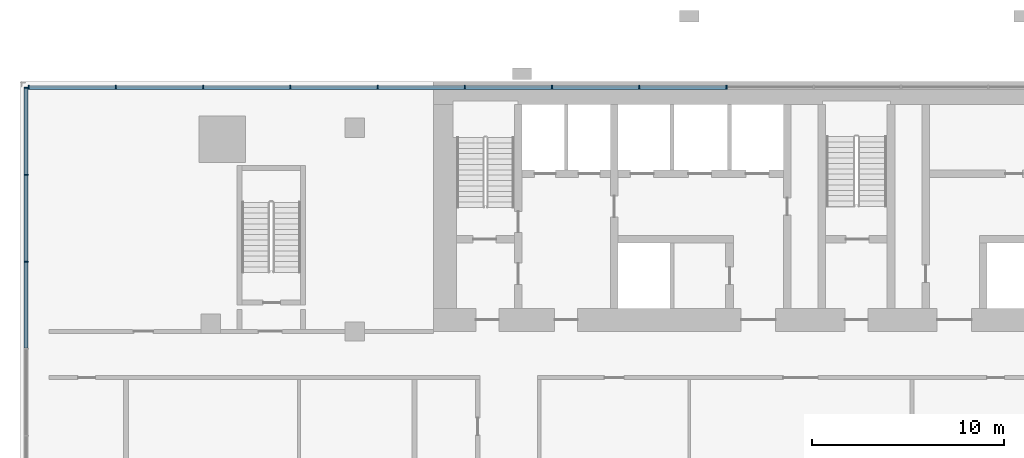
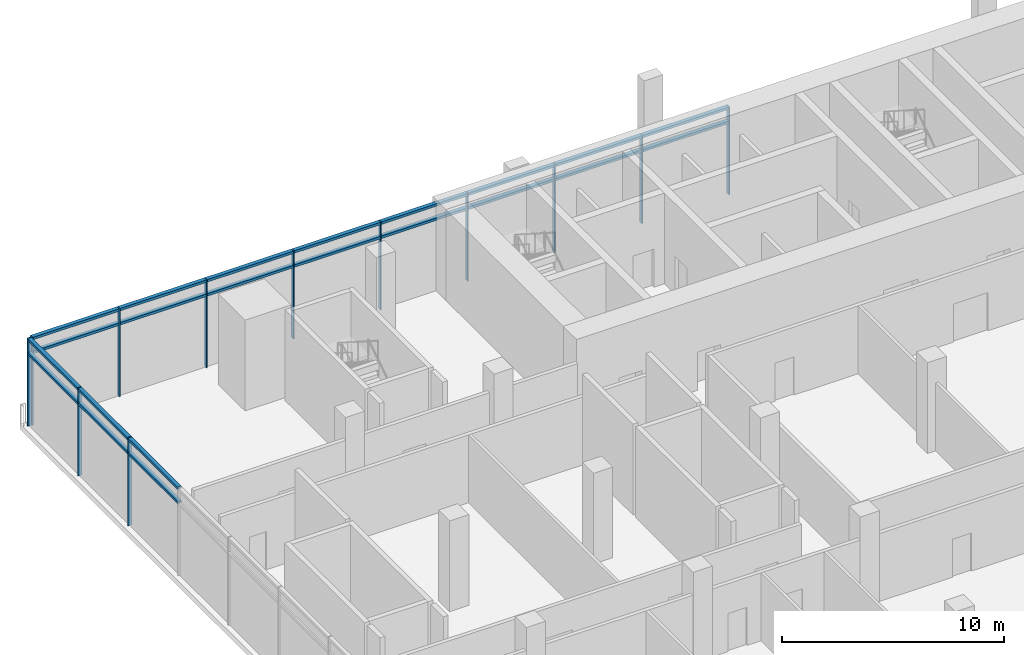
# One storey, part 5 of 17: 34 members, 2 elements without a shape of their own.
"""IFC4 building model written with IfcOpenShell, lengths in metres."""

from ifc_helpers import new_model, si_unit, direction, frame, origin, origin_2d, place, context, subcontext, project, spatial, rectangle, extrude, material, material_profile, profile_set, type_object, element, aggregate, save


model = new_model("IFC4")

# Units and contexts
model_context = context("Model", 3, precision=1e-05, world=origin(), true_north=direction((0.0, 1.0)))
body_context = subcontext(model_context, "Body", "Model", "MODEL_VIEW")
ifc_project = project(units=[si_unit("LENGTHUNIT", "METRE"), si_unit("AREAUNIT", "SQUARE_METRE"), si_unit("VOLUMEUNIT", "CUBIC_METRE"), si_unit("PLANEANGLEUNIT", "RADIAN"), si_unit("MASSUNIT", "GRAM", prefix="KILO")], contexts=[model_context])

# Site, building, storey
site_placement = place(None, origin())
site = spatial("IfcSite", under=ifc_project, at=site_placement, CompositionType="ELEMENT")
building_placement = place(site_placement, origin())
building = spatial("IfcBuilding", under=site, at=building_placement, Name="Bicima Exchange Tower", CompositionType="ELEMENT")
storey_placement = place(building_placement, frame((0.0, 0.0, 30.0)))
storey = spatial("IfcBuildingStorey", under=building, at=storey_placement, Name="L05", CompositionType="ELEMENT", Elevation=30.0)

# Curtain wall, members
ifc_material = material(Name="Anodised bronze aluminium", Category="aluminium")
curtain_wall_type = type_object("IfcCurtainWallType", Name="Lobby glazing", PredefinedType="NOTDEFINED", material=ifc_material)
curtain_wall_1_placement = place(storey_placement, origin())
curtain_wall_1 = element("IfcCurtainWall", 1, at=curtain_wall_1_placement, inside=storey, type_object=curtain_wall_type, Name="Podium glazing L05 north 1", PredefinedType="NOTDEFINED")
ifc_material_profile_1 = material_profile(ifc_material, rectangle(XDim=0.199951171875, YDim=0.06005859375, at=origin_2d()))
ifc_profile_set_1 = profile_set([ifc_material_profile_1], Name="Anodised bronze aluminium")
member_type_1 = type_object("IfcMemberType", Name="Lobby glazing mullion 60 x 200", PredefinedType="MULLION", material=ifc_profile_set_1)
member_1_placement = place(storey_placement, frame((-6.75830078125, -0.300048828125, 0.0), z_axis=(0.0, 0.0, 1.0), x_axis=(0.0, -1.0, 0.0)))
member_1 = element("IfcMember", 2, at=member_1_placement, type_object=member_type_1, Name="Lobby glazing mullion 12", PredefinedType="MULLION", context=body_context, shape_type="SweptSolid", body=[
    extrude(rectangle(XDim=0.199951171875, YDim=0.06005859375, at=origin_2d()), origin(), (0.0, 0.0, 1.0), 4.85009765625),
])
member_2_placement = place(storey_placement, frame((-11.29736328125, -0.300048828125, 0.0), z_axis=(0.0, 0.0, 1.0), x_axis=(0.0, -1.0, 0.0)))
member_2 = element("IfcMember", 3, at=member_2_placement, type_object=member_type_1, Name="Lobby glazing mullion 13", PredefinedType="MULLION", context=body_context, shape_type="SweptSolid", body=[
    extrude(rectangle(XDim=0.199951171875, YDim=0.06005859375, at=origin_2d()), origin(), (0.0, 0.0, 1.0), 4.85009765625),
])
member_3_placement = place(storey_placement, frame((-15.836181640625, -0.300048828125, 0.0), z_axis=(0.0, 0.0, 1.0), x_axis=(0.0, -1.0, 0.0)))
member_3 = element("IfcMember", 4, at=member_3_placement, type_object=member_type_1, Name="Lobby glazing mullion 14", PredefinedType="MULLION", context=body_context, shape_type="SweptSolid", body=[
    extrude(rectangle(XDim=0.199951171875, YDim=0.06005859375, at=origin_2d()), origin(), (0.0, 0.0, 1.0), 4.85009765625),
])
member_4_placement = place(storey_placement, frame((-20.375244140625, -0.300048828125, 0.0), z_axis=(0.0, 0.0, 1.0), x_axis=(0.0, -1.0, 0.0)))
member_4 = element("IfcMember", 5, at=member_4_placement, type_object=member_type_1, Name="Lobby glazing mullion 15", PredefinedType="MULLION", context=body_context, shape_type="SweptSolid", body=[
    extrude(rectangle(XDim=0.199951171875, YDim=0.06005859375, at=origin_2d()), origin(), (0.0, 0.0, 1.0), 4.85009765625),
])
member_5_placement = place(storey_placement, frame((-24.914306640625, -0.300048828125, 0.0), z_axis=(0.0, 0.0, 1.0), x_axis=(0.0, -1.0, 0.0)))
member_5 = element("IfcMember", 6, at=member_5_placement, type_object=member_type_1, Name="Lobby glazing mullion 16", PredefinedType="MULLION", context=body_context, shape_type="SweptSolid", body=[
    extrude(rectangle(XDim=0.199951171875, YDim=0.06005859375, at=origin_2d()), origin(), (0.0, 0.0, 1.0), 4.85009765625),
])
member_6_placement = place(storey_placement, frame((-29.453125, -0.300048828125, 0.0), z_axis=(0.0, 0.0, 1.0), x_axis=(0.0, -1.0, 0.0)))
member_6 = element("IfcMember", 7, at=member_6_placement, type_object=member_type_1, Name="Lobby glazing mullion 17", PredefinedType="MULLION", context=body_context, shape_type="SweptSolid", body=[
    extrude(rectangle(XDim=0.199951171875, YDim=0.06005859375, at=origin_2d()), origin(), (0.0, 0.0, 1.0), 4.85009765625),
])
member_7_placement = place(storey_placement, frame((-33.9921875, -0.300048828125, 0.0), z_axis=(0.0, 0.0, 1.0), x_axis=(0.0, -1.0, 0.0)))
member_7 = element("IfcMember", 8, at=member_7_placement, type_object=member_type_1, Name="Lobby glazing mullion 18", PredefinedType="MULLION", context=body_context, shape_type="SweptSolid", body=[
    extrude(rectangle(XDim=0.199951171875, YDim=0.06005859375, at=origin_2d()), origin(), (0.0, 0.0, 1.0), 4.85009765625),
])
member_8_placement = place(storey_placement, frame((-38.531005859375, -0.300048828125, 0.0), z_axis=(0.0, 0.0, 1.0), x_axis=(0.0, -1.0, 0.0)))
member_8 = element("IfcMember", 9, at=member_8_placement, type_object=member_type_1, Name="Lobby glazing mullion 19", PredefinedType="MULLION", context=body_context, shape_type="SweptSolid", body=[
    extrude(rectangle(XDim=0.199951171875, YDim=0.06005859375, at=origin_2d()), origin(), (0.0, 0.0, 1.0), 4.85009765625),
])
member_9_placement = place(storey_placement, frame((-43.070068359375, -0.300048828125, 0.0), z_axis=(0.0, 0.0, 1.0), x_axis=(0.0, -1.0, 0.0)))
member_9 = element("IfcMember", 10, at=member_9_placement, type_object=member_type_1, Name="Lobby glazing mullion 20", PredefinedType="MULLION", context=body_context, shape_type="SweptSolid", body=[
    extrude(rectangle(XDim=0.199951171875, YDim=0.06005859375, at=origin_2d()), origin(), (0.0, 0.0, 1.0), 4.85009765625),
])

curtain_wall_2_placement = place(storey_placement, origin())
curtain_wall_2 = element("IfcCurtainWall", 11, at=curtain_wall_2_placement, inside=storey, type_object=curtain_wall_type, Name="Podium glazing L05 west 1", PredefinedType="NOTDEFINED")
member_10_placement = place(storey_placement, frame((-43.199951171875, -0.330078125, 0.0), z_axis=(0.0, 0.0, 1.0), x_axis=(1.0, 0.0, 0.0)))
member_10 = element("IfcMember", 12, at=member_10_placement, type_object=member_type_1, Name="Lobby glazing mullion 1", PredefinedType="MULLION", context=body_context, shape_type="SweptSolid", body=[
    extrude(rectangle(XDim=0.199951171875, YDim=0.06005859375, at=origin_2d()), origin(), (0.0, 0.0, 1.0), 4.85009765625),
])
member_11_placement = place(storey_placement, frame((-43.199951171875, -4.85400390625, 0.0), z_axis=(0.0, 0.0, 1.0), x_axis=(1.0, 0.0, 0.0)))
member_11 = element("IfcMember", 13, at=member_11_placement, type_object=member_type_1, Name="Lobby glazing mullion 2", PredefinedType="MULLION", context=body_context, shape_type="SweptSolid", body=[
    extrude(rectangle(XDim=0.199951171875, YDim=0.06005859375, at=origin_2d()), origin(), (0.0, 0.0, 1.0), 4.85009765625),
])
member_12_placement = place(storey_placement, frame((-43.199951171875, -9.3779296875, 0.0), z_axis=(0.0, 0.0, 1.0), x_axis=(1.0, 0.0, 0.0)))
member_12 = element("IfcMember", 14, at=member_12_placement, type_object=member_type_1, Name="Lobby glazing mullion 3", PredefinedType="MULLION", context=body_context, shape_type="SweptSolid", body=[
    extrude(rectangle(XDim=0.199951171875, YDim=0.06005859375, at=origin_2d()), origin(), (0.0, 0.0, 1.0), 4.85009765625),
])

# Member
ifc_material_profile_2 = material_profile(ifc_material, rectangle(XDim=0.199951171875, YDim=0.139892578125, at=origin_2d()))
ifc_profile_set_2 = profile_set([ifc_material_profile_2], Name="Anodised bronze aluminium")
member_type_2 = type_object("IfcMemberType", Name="Lobby glazing transom 140 x 200", PredefinedType="USERDEFINED", material=ifc_profile_set_2)
member_13_placement = place(storey_placement, frame((-6.788330078125, -0.300048828125, 4.0), z_axis=(-1.0, 0.0, 0.0), x_axis=(0.0, -1.0, 0.0)))
member_13 = element("IfcMember", 15, at=member_13_placement, type_object=member_type_2, Name="Lobby glazing transom 12.1", ObjectType="TRANSOM", PredefinedType="USERDEFINED", context=body_context, shape_type="SweptSolid", body=[
    extrude(rectangle(XDim=0.199951171875, YDim=0.139892578125, at=origin_2d()), origin(), (0.0, 0.0, 1.0), 4.47900390625),
])

member_14_placement = place(storey_placement, frame((-6.788330078125, -0.300048828125, 4.780029296875), z_axis=(-1.0, 0.0, 0.0), x_axis=(0.0, -1.0, 0.0)))
member_14 = element("IfcMember", 16, at=member_14_placement, type_object=member_type_2, Name="Lobby glazing transom 12.2", ObjectType="TRANSOM", PredefinedType="USERDEFINED", context=body_context, shape_type="SweptSolid", body=[
    extrude(rectangle(XDim=0.199951171875, YDim=0.139892578125, at=origin_2d()), origin(), (0.0, 0.0, 1.0), 4.47900390625),
])

member_15_placement = place(storey_placement, frame((-11.327392578125, -0.300048828125, 4.0), z_axis=(-1.0, 0.0, 0.0), x_axis=(0.0, -1.0, 0.0)))
member_15 = element("IfcMember", 17, at=member_15_placement, type_object=member_type_2, Name="Lobby glazing transom 13.1", ObjectType="TRANSOM", PredefinedType="USERDEFINED", context=body_context, shape_type="SweptSolid", body=[
    extrude(rectangle(XDim=0.199951171875, YDim=0.139892578125, at=origin_2d()), origin(), (0.0, 0.0, 1.0), 4.47900390625),
])

member_16_placement = place(storey_placement, frame((-11.327392578125, -0.300048828125, 4.780029296875), z_axis=(-1.0, 0.0, 0.0), x_axis=(0.0, -1.0, 0.0)))
member_16 = element("IfcMember", 18, at=member_16_placement, type_object=member_type_2, Name="Lobby glazing transom 13.2", ObjectType="TRANSOM", PredefinedType="USERDEFINED", context=body_context, shape_type="SweptSolid", body=[
    extrude(rectangle(XDim=0.199951171875, YDim=0.139892578125, at=origin_2d()), origin(), (0.0, 0.0, 1.0), 4.47900390625),
])

member_17_placement = place(storey_placement, frame((-15.8662109375, -0.300048828125, 4.0), z_axis=(-1.0, 0.0, 0.0), x_axis=(0.0, -1.0, 0.0)))
member_17 = element("IfcMember", 19, at=member_17_placement, type_object=member_type_2, Name="Lobby glazing transom 14.1", ObjectType="TRANSOM", PredefinedType="USERDEFINED", context=body_context, shape_type="SweptSolid", body=[
    extrude(rectangle(XDim=0.199951171875, YDim=0.139892578125, at=origin_2d()), origin(), (0.0, 0.0, 1.0), 4.47900390625),
])

member_18_placement = place(storey_placement, frame((-15.8662109375, -0.300048828125, 4.780029296875), z_axis=(-1.0, 0.0, 0.0), x_axis=(0.0, -1.0, 0.0)))
member_18 = element("IfcMember", 20, at=member_18_placement, type_object=member_type_2, Name="Lobby glazing transom 14.2", ObjectType="TRANSOM", PredefinedType="USERDEFINED", context=body_context, shape_type="SweptSolid", body=[
    extrude(rectangle(XDim=0.199951171875, YDim=0.139892578125, at=origin_2d()), origin(), (0.0, 0.0, 1.0), 4.47900390625),
])

member_19_placement = place(storey_placement, frame((-20.4052734375, -0.300048828125, 4.0), z_axis=(-1.0, 0.0, 0.0), x_axis=(0.0, -1.0, 0.0)))
member_19 = element("IfcMember", 21, at=member_19_placement, type_object=member_type_2, Name="Lobby glazing transom 15.1", ObjectType="TRANSOM", PredefinedType="USERDEFINED", context=body_context, shape_type="SweptSolid", body=[
    extrude(rectangle(XDim=0.199951171875, YDim=0.139892578125, at=origin_2d()), origin(), (0.0, 0.0, 1.0), 4.47900390625),
])

member_20_placement = place(storey_placement, frame((-20.4052734375, -0.300048828125, 4.780029296875), z_axis=(-1.0, 0.0, 0.0), x_axis=(0.0, -1.0, 0.0)))
member_20 = element("IfcMember", 22, at=member_20_placement, type_object=member_type_2, Name="Lobby glazing transom 15.2", ObjectType="TRANSOM", PredefinedType="USERDEFINED", context=body_context, shape_type="SweptSolid", body=[
    extrude(rectangle(XDim=0.199951171875, YDim=0.139892578125, at=origin_2d()), origin(), (0.0, 0.0, 1.0), 4.47900390625),
])

member_21_placement = place(storey_placement, frame((-24.944091796875, -0.300048828125, 4.0), z_axis=(-1.0, 0.0, 0.0), x_axis=(0.0, -1.0, 0.0)))
member_21 = element("IfcMember", 23, at=member_21_placement, type_object=member_type_2, Name="Lobby glazing transom 16.1", ObjectType="TRANSOM", PredefinedType="USERDEFINED", context=body_context, shape_type="SweptSolid", body=[
    extrude(rectangle(XDim=0.199951171875, YDim=0.139892578125, at=origin_2d()), origin(), (0.0, 0.0, 1.0), 4.47900390625),
])

member_22_placement = place(storey_placement, frame((-24.944091796875, -0.300048828125, 4.780029296875), z_axis=(-1.0, 0.0, 0.0), x_axis=(0.0, -1.0, 0.0)))
member_22 = element("IfcMember", 24, at=member_22_placement, type_object=member_type_2, Name="Lobby glazing transom 16.2", ObjectType="TRANSOM", PredefinedType="USERDEFINED", context=body_context, shape_type="SweptSolid", body=[
    extrude(rectangle(XDim=0.199951171875, YDim=0.139892578125, at=origin_2d()), origin(), (0.0, 0.0, 1.0), 4.47900390625),
])

member_23_placement = place(storey_placement, frame((-29.483154296875, -0.300048828125, 4.0), z_axis=(-1.0, 0.0, 0.0), x_axis=(0.0, -1.0, 0.0)))
member_23 = element("IfcMember", 25, at=member_23_placement, type_object=member_type_2, Name="Lobby glazing transom 17.1", ObjectType="TRANSOM", PredefinedType="USERDEFINED", context=body_context, shape_type="SweptSolid", body=[
    extrude(rectangle(XDim=0.199951171875, YDim=0.139892578125, at=origin_2d()), origin(), (0.0, 0.0, 1.0), 4.47900390625),
])

member_24_placement = place(storey_placement, frame((-29.483154296875, -0.300048828125, 4.780029296875), z_axis=(-1.0, 0.0, 0.0), x_axis=(0.0, -1.0, 0.0)))
member_24 = element("IfcMember", 26, at=member_24_placement, type_object=member_type_2, Name="Lobby glazing transom 17.2", ObjectType="TRANSOM", PredefinedType="USERDEFINED", context=body_context, shape_type="SweptSolid", body=[
    extrude(rectangle(XDim=0.199951171875, YDim=0.139892578125, at=origin_2d()), origin(), (0.0, 0.0, 1.0), 4.47900390625),
])

member_25_placement = place(storey_placement, frame((-34.022216796875, -0.300048828125, 4.0), z_axis=(-1.0, 0.0, 0.0), x_axis=(0.0, -1.0, 0.0)))
member_25 = element("IfcMember", 27, at=member_25_placement, type_object=member_type_2, Name="Lobby glazing transom 18.1", ObjectType="TRANSOM", PredefinedType="USERDEFINED", context=body_context, shape_type="SweptSolid", body=[
    extrude(rectangle(XDim=0.199951171875, YDim=0.139892578125, at=origin_2d()), origin(), (0.0, 0.0, 1.0), 4.47900390625),
])

member_26_placement = place(storey_placement, frame((-34.022216796875, -0.300048828125, 4.780029296875), z_axis=(-1.0, 0.0, 0.0), x_axis=(0.0, -1.0, 0.0)))
member_26 = element("IfcMember", 28, at=member_26_placement, type_object=member_type_2, Name="Lobby glazing transom 18.2", ObjectType="TRANSOM", PredefinedType="USERDEFINED", context=body_context, shape_type="SweptSolid", body=[
    extrude(rectangle(XDim=0.199951171875, YDim=0.139892578125, at=origin_2d()), origin(), (0.0, 0.0, 1.0), 4.47900390625),
])

member_27_placement = place(storey_placement, frame((-38.56103515625, -0.300048828125, 4.0), z_axis=(-1.0, 0.0, 0.0), x_axis=(0.0, -1.0, 0.0)))
member_27 = element("IfcMember", 29, at=member_27_placement, type_object=member_type_2, Name="Lobby glazing transom 19.1", ObjectType="TRANSOM", PredefinedType="USERDEFINED", context=body_context, shape_type="SweptSolid", body=[
    extrude(rectangle(XDim=0.199951171875, YDim=0.139892578125, at=origin_2d()), origin(), (0.0, 0.0, 1.0), 4.47900390625),
])

member_28_placement = place(storey_placement, frame((-38.56103515625, -0.300048828125, 4.780029296875), z_axis=(-1.0, 0.0, 0.0), x_axis=(0.0, -1.0, 0.0)))
member_28 = element("IfcMember", 30, at=member_28_placement, type_object=member_type_2, Name="Lobby glazing transom 19.2", ObjectType="TRANSOM", PredefinedType="USERDEFINED", context=body_context, shape_type="SweptSolid", body=[
    extrude(rectangle(XDim=0.199951171875, YDim=0.139892578125, at=origin_2d()), origin(), (0.0, 0.0, 1.0), 4.47900390625),
])

aggregate(curtain_wall_1, [member_1, member_2, member_3, member_4, member_5, member_6, member_7, member_8, member_9, member_13, member_14, member_15, member_16, member_17, member_18, member_19, member_20, member_21, member_22, member_23, member_24, member_25, member_26, member_27, member_28])

member_29_placement = place(storey_placement, frame((-43.199951171875, -0.360107421875, 4.0), z_axis=(0.0, -1.0, 0.0), x_axis=(1.0, 0.0, 0.0)))
member_29 = element("IfcMember", 31, at=member_29_placement, type_object=member_type_2, Name="Lobby glazing transom 1.1", ObjectType="TRANSOM", PredefinedType="USERDEFINED", context=body_context, shape_type="SweptSolid", body=[
    extrude(rectangle(XDim=0.199951171875, YDim=0.139892578125, at=origin_2d()), origin(), (0.0, 0.0, 1.0), 4.4638671875),
])

member_30_placement = place(storey_placement, frame((-43.199951171875, -0.360107421875, 4.780029296875), z_axis=(0.0, -1.0, 0.0), x_axis=(1.0, 0.0, 0.0)))
member_30 = element("IfcMember", 32, at=member_30_placement, type_object=member_type_2, Name="Lobby glazing transom 1.2", ObjectType="TRANSOM", PredefinedType="USERDEFINED", context=body_context, shape_type="SweptSolid", body=[
    extrude(rectangle(XDim=0.199951171875, YDim=0.139892578125, at=origin_2d()), origin(), (0.0, 0.0, 1.0), 4.4638671875),
])

member_31_placement = place(storey_placement, frame((-43.199951171875, -4.884033203125, 4.0), z_axis=(0.0, -1.0, 0.0), x_axis=(1.0, 0.0, 0.0)))
member_31 = element("IfcMember", 33, at=member_31_placement, type_object=member_type_2, Name="Lobby glazing transom 2.1", ObjectType="TRANSOM", PredefinedType="USERDEFINED", context=body_context, shape_type="SweptSolid", body=[
    extrude(rectangle(XDim=0.199951171875, YDim=0.139892578125, at=origin_2d()), origin(), (0.0, 0.0, 1.0), 4.4638671875),
])

member_32_placement = place(storey_placement, frame((-43.199951171875, -4.884033203125, 4.780029296875), z_axis=(0.0, -1.0, 0.0), x_axis=(1.0, 0.0, 0.0)))
member_32 = element("IfcMember", 34, at=member_32_placement, type_object=member_type_2, Name="Lobby glazing transom 2.2", ObjectType="TRANSOM", PredefinedType="USERDEFINED", context=body_context, shape_type="SweptSolid", body=[
    extrude(rectangle(XDim=0.199951171875, YDim=0.139892578125, at=origin_2d()), origin(), (0.0, 0.0, 1.0), 4.4638671875),
])

member_33_placement = place(storey_placement, frame((-43.199951171875, -9.407958984375, 4.0), z_axis=(0.0, -1.0, 0.0), x_axis=(1.0, 0.0, 0.0)))
member_33 = element("IfcMember", 35, at=member_33_placement, type_object=member_type_2, Name="Lobby glazing transom 3.1", ObjectType="TRANSOM", PredefinedType="USERDEFINED", context=body_context, shape_type="SweptSolid", body=[
    extrude(rectangle(XDim=0.199951171875, YDim=0.139892578125, at=origin_2d()), origin(), (0.0, 0.0, 1.0), 4.464111328125),
])

member_34_placement = place(storey_placement, frame((-43.199951171875, -9.407958984375, 4.780029296875), z_axis=(0.0, -1.0, 0.0), x_axis=(1.0, 0.0, 0.0)))
member_34 = element("IfcMember", 36, at=member_34_placement, type_object=member_type_2, Name="Lobby glazing transom 3.2", ObjectType="TRANSOM", PredefinedType="USERDEFINED", context=body_context, shape_type="SweptSolid", body=[
    extrude(rectangle(XDim=0.199951171875, YDim=0.139892578125, at=origin_2d()), origin(), (0.0, 0.0, 1.0), 4.464111328125),
])

aggregate(curtain_wall_2, [member_10, member_11, member_12, member_29, member_30, member_31, member_32, member_33, member_34])

save(model, "model.ifc")
